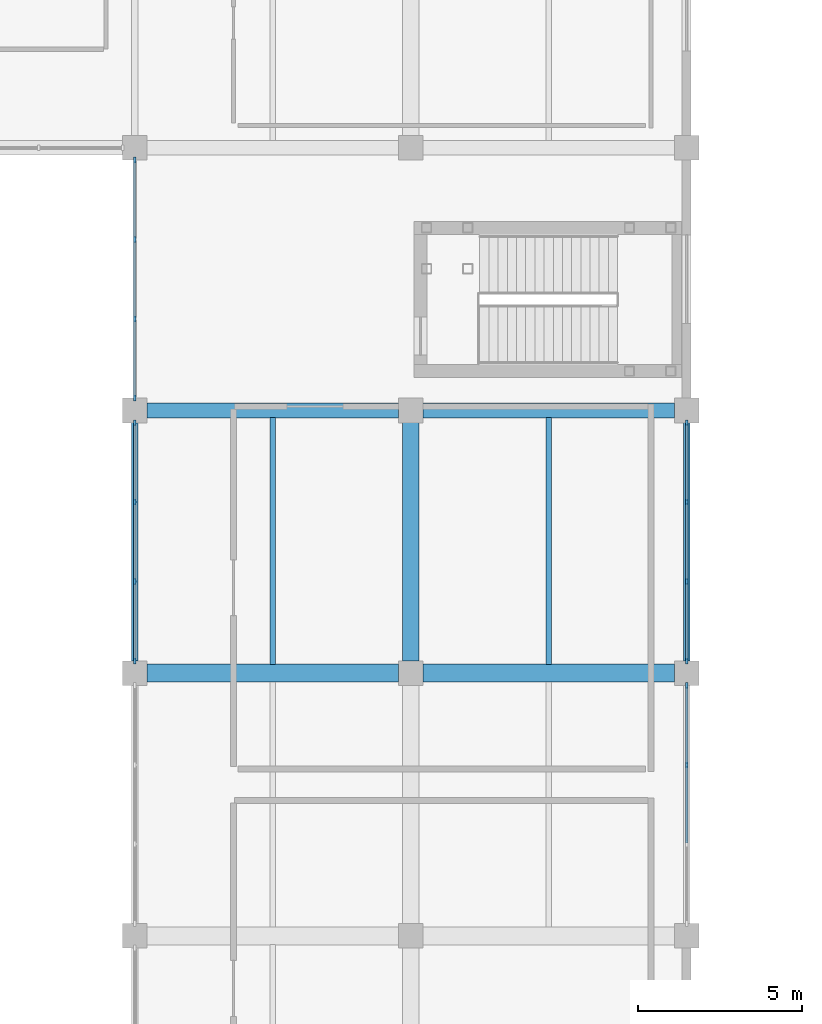
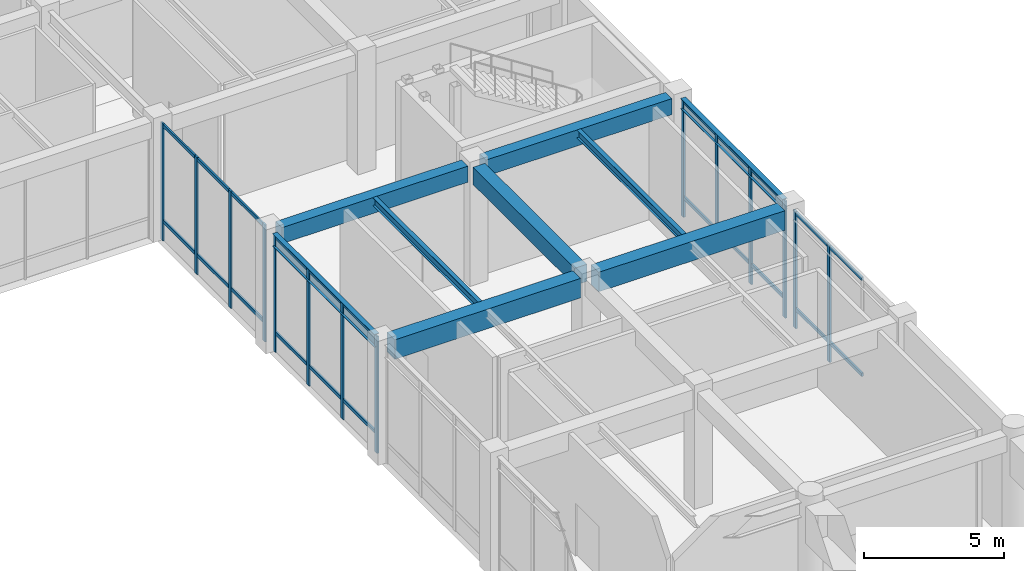
# One storey, part 30 of 79: 36 members, 9 beams, 4 elements without a shape of their own.
"""IFC4 building model written with IfcOpenShell, lengths in metres."""

from ifc_helpers import new_model, si_unit, direction, frame, origin, origin_2d, place, context, subcontext, project, spatial, rectangle, i_section, extrude, material, layer, layer_set, material_profile, profile_set, type_object, element, aggregate, save


model = new_model("IFC4")

# Units and contexts
model_context = context("Model", 3, precision=1e-05, world=origin(), true_north=direction((0.0, 1.0)))
body_context = subcontext(model_context, "Body", "Model", "MODEL_VIEW")
ifc_project = project(units=[si_unit("LENGTHUNIT", "METRE"), si_unit("AREAUNIT", "SQUARE_METRE"), si_unit("VOLUMEUNIT", "CUBIC_METRE"), si_unit("PLANEANGLEUNIT", "RADIAN"), si_unit("MASSUNIT", "GRAM", prefix="KILO")], contexts=[model_context])

# Site, building, storey
site_placement = place(None, origin())
site = spatial("IfcSite", under=ifc_project, at=site_placement, CompositionType="ELEMENT")
building_placement = place(site_placement, origin())
building = spatial("IfcBuilding", under=site, at=building_placement, Name="Naruveol Harbour Congress Hotel", CompositionType="ELEMENT")
storey_placement = place(building_placement, frame((0.0, 0.0, 6.0)))
storey = spatial("IfcBuildingStorey", under=building, at=storey_placement, Name="L01", CompositionType="ELEMENT", Elevation=6.0)

# Beams
ifc_material_1 = material(Name="Concrete C40/50", Category="concrete")
ifc_material_profile_1 = material_profile(ifc_material_1, rectangle(XDim=0.5, YDim=0.75, at=origin_2d()), Name="RCB-500x750")
ifc_profile_set_1 = profile_set([ifc_material_profile_1], Name="Concrete C40/50")
beam_type_1 = type_object("IfcBeamType", Name="RC FLOOR GIRDER 500X750", PredefinedType="BEAM", material=ifc_profile_set_1)
beam_1_placement = place(storey_placement, frame((117.60009765625, 48.37109375, 4.77490234375), z_axis=(0.0, 1.0, 0.0), x_axis=(-1.0, 0.0, 0.0)))
element("IfcBeam", 1, at=beam_1_placement, inside=storey, type_object=beam_type_1, Name="Transverse girder L02 CB3", PredefinedType="BEAM", context=body_context, shape_type="SweptSolid", body=[
    extrude(rectangle(XDim=0.5, YDim=0.75, at=origin_2d()), origin(), (0.0, 0.0, 1.0), 7.2578125),
])
ifc_material_2 = material(Name="Concrete C40/50", Category="concrete")
ifc_material_profile_2 = material_profile(ifc_material_2, rectangle(XDim=0.550048828125, YDim=0.85009765625, at=origin_2d()), Name="RCB-550x850")
ifc_profile_set_2 = profile_set([ifc_material_profile_2], Name="Concrete C40/50")
beam_type_2 = type_object("IfcBeamType", Name="RC PRIMARY GIRDER 550X850", PredefinedType="BEAM", material=ifc_profile_set_2)
for number, where, z_axis, x_axis, name in (
    (2, (109.571044921875, 48.0, 4.72509765625), (1.0, 0.0, 0.0), (0.0, 1.0, 0.0), "Floor girder L02 CB2"),
    (3, (117.970947265625, 48.0, 4.72509765625), (1.0, 0.0, 0.0), (0.0, 1.0, 0.0), "Floor girder L02 CB2"),
):
    element("IfcBeam", number, at=place(storey_placement, frame(where, z_axis=z_axis, x_axis=x_axis)), inside=storey, type_object=beam_type_2, Name=name, PredefinedType="BEAM", context=body_context, shape_type="SweptSolid", body=[
        extrude(rectangle(XDim=0.550048828125, YDim=0.85009765625, at=origin_2d()), origin(), (0.0, 0.0, 1.0), 7.657958984375),
    ])
ifc_material_3 = material(Name="Concrete C40/50", Category="concrete")
ifc_material_profile_3 = material_profile(ifc_material_3, rectangle(XDim=0.449951171875, YDim=0.699951171875, at=origin_2d()), Name="RCB-450x700")
ifc_profile_set_3 = profile_set([ifc_material_profile_3], Name="Concrete C40/50")
beam_type_3 = type_object("IfcBeamType", Name="RC SPANDREL BEAM 450X700", PredefinedType="SPANDREL", material=ifc_profile_set_3)
for number, where, z_axis, x_axis, name in (
    (4, (109.571044921875, 56.0, 4.800048828125), (1.0, 0.0, 0.0), (0.0, 1.0, 0.0), "Floor girder L02 SPB1"),
    (5, (117.970947265625, 56.0, 4.800048828125), (1.0, 0.0, 0.0), (0.0, 1.0, 0.0), "Floor girder L02 SPB1"),
):
    element("IfcBeam", number, at=place(storey_placement, frame(where, z_axis=z_axis, x_axis=x_axis)), inside=storey, type_object=beam_type_3, Name=name, PredefinedType="SPANDREL", context=body_context, shape_type="SweptSolid", body=[
        extrude(rectangle(XDim=0.449951171875, YDim=0.699951171875, at=origin_2d()), origin(), (0.0, 0.0, 1.0), 7.657958984375),
    ])
ifc_material_4 = material(Name="Steel SN490", Category="steel")
ifc_material_profile_4 = material_profile(ifc_material_4, i_section(OverallWidth=0.199951171875, OverallDepth=0.550048828125, WebThickness=0.010986328125, FlangeThickness=0.01708984375, at=origin_2d()), Name="H-550x200x11x17")
ifc_profile_set_4 = profile_set([ifc_material_profile_4], Name="Steel SN490")
beam_type_4 = type_object("IfcBeamType", Name="STEEL HALL GALLERY BEAM H550", PredefinedType="BEAM", material=ifc_profile_set_4)
beam_2_placement = place(storey_placement, frame((109.199951171875, 48.37109375, 4.875), z_axis=(0.0, 1.0, 0.0), x_axis=(-1.0, 0.0, 0.0)))
element("IfcBeam", 6, at=beam_2_placement, inside=storey, type_object=beam_type_4, Name="Transverse girder L02 SB4", PredefinedType="BEAM", context=body_context, shape_type="SweptSolid", body=[
    extrude(i_section(OverallWidth=0.199951171875, OverallDepth=0.550048828125, WebThickness=0.010986328125, FlangeThickness=0.01708984375, at=origin_2d()), origin(), (0.0, 0.0, 1.0), 7.2578125),
])
ifc_material_5 = material(Name="Steel SN490", Category="steel")
ifc_material_profile_5 = material_profile(ifc_material_5, i_section(OverallWidth=0.175048828125, OverallDepth=0.35009765625, WebThickness=0.007080078125, FlangeThickness=0.010986328125, at=origin_2d()), Name="H-350x175x7x11")
ifc_profile_set_5 = profile_set([ifc_material_profile_5], Name="Steel SN490")
beam_type_5 = type_object("IfcBeamType", Name="STEEL SECONDARY JOIST H350", PredefinedType="JOIST", material=ifc_profile_set_5)
for number, where, z_axis, x_axis, name in (
    (7, (113.39990234375, 48.27099609375, 4.97509765625), (0.0, 1.0, 0.0), (-1.0, 0.0, 0.0), "Secondary floor joist L02 SJ2"),
    (8, (121.800048828125, 48.27099609375, 4.97509765625), (0.0, 1.0, 0.0), (-1.0, 0.0, 0.0), "Secondary floor joist L02 SJ2"),
):
    element("IfcBeam", number, at=place(storey_placement, frame(where, z_axis=z_axis, x_axis=x_axis)), inside=storey, type_object=beam_type_5, Name=name, PredefinedType="JOIST", context=body_context, shape_type="SweptSolid", body=[
        extrude(i_section(OverallWidth=0.175048828125, OverallDepth=0.35009765625, WebThickness=0.007080078125, FlangeThickness=0.010986328125, at=origin_2d()), origin(), (0.0, 0.0, 1.0), 7.508056640625),
    ])
ifc_material_6 = material(Name="Steel SN490", Category="steel")
ifc_material_profile_6 = material_profile(ifc_material_6, i_section(OverallWidth=0.199951171875, OverallDepth=0.449951171875, WebThickness=0.009033203125, FlangeThickness=0.013916015625, at=origin_2d()), Name="H-450x200x9x14")
ifc_profile_set_6 = profile_set([ifc_material_profile_6], Name="Steel SN490")
beam_type_6 = type_object("IfcBeamType", Name="STEEL SPANDREL EDGE BEAM H450", PredefinedType="SPANDREL", material=ifc_profile_set_6)
beam_3_placement = place(storey_placement, frame((126.0, 48.37109375, 4.925048828125), z_axis=(0.0, 1.0, 0.0), x_axis=(-1.0, 0.0, 0.0)))
element("IfcBeam", 9, at=beam_3_placement, inside=storey, type_object=beam_type_6, Name="Transverse girder L02 SPB2", PredefinedType="SPANDREL", context=body_context, shape_type="SweptSolid", body=[
    extrude(i_section(OverallWidth=0.199951171875, OverallDepth=0.449951171875, WebThickness=0.009033203125, FlangeThickness=0.013916015625, at=origin_2d()), origin(), (0.0, 0.0, 1.0), 7.2578125),
])

# Curtain wall, members
ifc_material_7 = material(Name="Low-E Curtain Wall System", Category="glass")
ifc_layer_1 = layer(ifc_material_7, 0.179931640625)
ifc_layer_set_1 = layer_set([ifc_layer_1], Name="Low-E Curtain Wall System")
curtain_wall_type_1 = type_object("IfcCurtainWallType", Name="UNITISED CURTAIN WALL CW-V4E-31 7250X5100", PredefinedType="USERDEFINED", material=ifc_layer_set_1)
curtain_wall_1_placement = place(storey_placement, origin())
curtain_wall_1 = element("IfcCurtainWall", 10, at=curtain_wall_1_placement, inside=storey, type_object=curtain_wall_type_1, Name="Unitised curtain wall CW-V4E-31 L01", ObjectType="UNITISED GLAZING", PredefinedType="USERDEFINED")
ifc_material_8 = material(Name="Anodised Aluminium 6063-T6", Category="aluminium")
ifc_material_profile_7 = material_profile(ifc_material_8, rectangle(XDim=0.074951171875, YDim=0.179931640625, at=origin_2d()), Name="ALU-75x180")
ifc_profile_set_7 = profile_set([ifc_material_profile_7], Name="Anodised Aluminium 6063-T6")
member_type_1 = type_object("IfcMemberType", Name="THERMAL ALUMINIUM MULLION 75X180", PredefinedType="MULLION", material=ifc_profile_set_7)
member_1_placement = place(storey_placement, frame((126.0, 55.625, 0.0), z_axis=(0.0, 0.0, 1.0), x_axis=(1.0, 0.0, 0.0)))
member_1 = element("IfcMember", 11, at=member_1_placement, type_object=member_type_1, Name="Curtain wall mullion CW-L01-0074-M0", PredefinedType="MULLION", context=body_context, shape_type="SweptSolid", body=[
    extrude(rectangle(XDim=0.074951171875, YDim=0.179931640625, at=origin_2d()), origin(), (0.0, 0.0, 1.0), 5.10009765625),
])
member_2_placement = place(storey_placement, frame((126.0, 53.208251953125, 0.0), z_axis=(0.0, 0.0, 1.0), x_axis=(1.0, 0.0, 0.0)))
member_2 = element("IfcMember", 12, at=member_2_placement, type_object=member_type_1, Name="Curtain wall mullion CW-L01-0074-M1", PredefinedType="MULLION", context=body_context, shape_type="SweptSolid", body=[
    extrude(rectangle(XDim=0.074951171875, YDim=0.179931640625, at=origin_2d()), origin(), (0.0, 0.0, 1.0), 5.10009765625),
])
member_3_placement = place(storey_placement, frame((126.0, 50.791748046875, 0.0), z_axis=(0.0, 0.0, 1.0), x_axis=(1.0, 0.0, 0.0)))
member_3 = element("IfcMember", 13, at=member_3_placement, type_object=member_type_1, Name="Curtain wall mullion CW-L01-0074-M2", PredefinedType="MULLION", context=body_context, shape_type="SweptSolid", body=[
    extrude(rectangle(XDim=0.074951171875, YDim=0.179931640625, at=origin_2d()), origin(), (0.0, 0.0, 1.0), 5.10009765625),
])
member_4_placement = place(storey_placement, frame((126.0, 48.375, 0.0), z_axis=(0.0, 0.0, 1.0), x_axis=(1.0, 0.0, 0.0)))
member_4 = element("IfcMember", 14, at=member_4_placement, type_object=member_type_1, Name="Curtain wall mullion CW-L01-0074-M3", PredefinedType="MULLION", context=body_context, shape_type="SweptSolid", body=[
    extrude(rectangle(XDim=0.074951171875, YDim=0.179931640625, at=origin_2d()), origin(), (0.0, 0.0, 1.0), 5.10009765625),
])

curtain_wall_2_placement = place(storey_placement, origin())
curtain_wall_2 = element("IfcCurtainWall", 15, at=curtain_wall_2_placement, inside=storey, type_object=curtain_wall_type_1, Name="Unitised curtain wall CW-V4E-31 L01", ObjectType="UNITISED GLAZING", PredefinedType="USERDEFINED")
member_5_placement = place(storey_placement, frame((126.0, 47.625, 0.0), z_axis=(0.0, 0.0, 1.0), x_axis=(1.0, 0.0, 0.0)))
member_5 = element("IfcMember", 16, at=member_5_placement, type_object=member_type_1, Name="Curtain wall mullion CW-L01-0075-M0", PredefinedType="MULLION", context=body_context, shape_type="SweptSolid", body=[
    extrude(rectangle(XDim=0.074951171875, YDim=0.179931640625, at=origin_2d()), origin(), (0.0, 0.0, 1.0), 5.10009765625),
])
member_6_placement = place(storey_placement, frame((126.0, 45.208251953125, 0.0), z_axis=(0.0, 0.0, 1.0), x_axis=(1.0, 0.0, 0.0)))
member_6 = element("IfcMember", 17, at=member_6_placement, type_object=member_type_1, Name="Curtain wall mullion CW-L01-0075-M1", PredefinedType="MULLION", context=body_context, shape_type="SweptSolid", body=[
    extrude(rectangle(XDim=0.074951171875, YDim=0.179931640625, at=origin_2d()), origin(), (0.0, 0.0, 1.0), 5.10009765625),
])

ifc_material_9 = material(Name="Low-E Curtain Wall System", Category="glass")
ifc_layer_2 = layer(ifc_material_9, 0.179931640625)
ifc_layer_set_2 = layer_set([ifc_layer_2], Name="Low-E Curtain Wall System")
curtain_wall_type_2 = type_object("IfcCurtainWallType", Name="UNITISED CURTAIN WALL CW-CTE-37 7250X5100", PredefinedType="USERDEFINED", material=ifc_layer_set_2)
curtain_wall_3_placement = place(storey_placement, origin())
curtain_wall_3 = element("IfcCurtainWall", 18, at=curtain_wall_3_placement, inside=storey, type_object=curtain_wall_type_2, Name="Unitised curtain wall CW-CTE-37 L01", ObjectType="UNITISED GLAZING", PredefinedType="USERDEFINED")
member_7_placement = place(storey_placement, frame((109.199951171875, 55.625, 0.0), z_axis=(0.0, 0.0, 1.0), x_axis=(1.0, 0.0, 0.0)))
member_7 = element("IfcMember", 19, at=member_7_placement, type_object=member_type_1, Name="Curtain wall mullion CW-L01-0093-M0", PredefinedType="MULLION", context=body_context, shape_type="SweptSolid", body=[
    extrude(rectangle(XDim=0.074951171875, YDim=0.179931640625, at=origin_2d()), origin(), (0.0, 0.0, 1.0), 5.10009765625),
])
member_8_placement = place(storey_placement, frame((109.199951171875, 53.208251953125, 0.0), z_axis=(0.0, 0.0, 1.0), x_axis=(1.0, 0.0, 0.0)))
member_8 = element("IfcMember", 20, at=member_8_placement, type_object=member_type_1, Name="Curtain wall mullion CW-L01-0093-M1", PredefinedType="MULLION", context=body_context, shape_type="SweptSolid", body=[
    extrude(rectangle(XDim=0.074951171875, YDim=0.179931640625, at=origin_2d()), origin(), (0.0, 0.0, 1.0), 5.10009765625),
])
member_9_placement = place(storey_placement, frame((109.199951171875, 50.791748046875, 0.0), z_axis=(0.0, 0.0, 1.0), x_axis=(1.0, 0.0, 0.0)))
member_9 = element("IfcMember", 21, at=member_9_placement, type_object=member_type_1, Name="Curtain wall mullion CW-L01-0093-M2", PredefinedType="MULLION", context=body_context, shape_type="SweptSolid", body=[
    extrude(rectangle(XDim=0.074951171875, YDim=0.179931640625, at=origin_2d()), origin(), (0.0, 0.0, 1.0), 5.10009765625),
])
member_10_placement = place(storey_placement, frame((109.199951171875, 48.375, 0.0), z_axis=(0.0, 0.0, 1.0), x_axis=(1.0, 0.0, 0.0)))
member_10 = element("IfcMember", 22, at=member_10_placement, type_object=member_type_1, Name="Curtain wall mullion CW-L01-0093-M3", PredefinedType="MULLION", context=body_context, shape_type="SweptSolid", body=[
    extrude(rectangle(XDim=0.074951171875, YDim=0.179931640625, at=origin_2d()), origin(), (0.0, 0.0, 1.0), 5.10009765625),
])

curtain_wall_4_placement = place(storey_placement, origin())
curtain_wall_4 = element("IfcCurtainWall", 23, at=curtain_wall_4_placement, inside=storey, type_object=curtain_wall_type_2, Name="Unitised curtain wall CW-CTE-37 L01", ObjectType="UNITISED GLAZING", PredefinedType="USERDEFINED")
member_11_placement = place(storey_placement, frame((109.199951171875, 63.625, 0.0), z_axis=(0.0, 0.0, 1.0), x_axis=(1.0, 0.0, 0.0)))
member_11 = element("IfcMember", 24, at=member_11_placement, type_object=member_type_1, Name="Curtain wall mullion CW-L01-0095-M0", PredefinedType="MULLION", context=body_context, shape_type="SweptSolid", body=[
    extrude(rectangle(XDim=0.074951171875, YDim=0.179931640625, at=origin_2d()), origin(), (0.0, 0.0, 1.0), 5.10009765625),
])
member_12_placement = place(storey_placement, frame((109.199951171875, 61.208251953125, 0.0), z_axis=(0.0, 0.0, 1.0), x_axis=(1.0, 0.0, 0.0)))
member_12 = element("IfcMember", 25, at=member_12_placement, type_object=member_type_1, Name="Curtain wall mullion CW-L01-0095-M1", PredefinedType="MULLION", context=body_context, shape_type="SweptSolid", body=[
    extrude(rectangle(XDim=0.074951171875, YDim=0.179931640625, at=origin_2d()), origin(), (0.0, 0.0, 1.0), 5.10009765625),
])
member_13_placement = place(storey_placement, frame((109.199951171875, 58.791748046875, 0.0), z_axis=(0.0, 0.0, 1.0), x_axis=(1.0, 0.0, 0.0)))
member_13 = element("IfcMember", 26, at=member_13_placement, type_object=member_type_1, Name="Curtain wall mullion CW-L01-0095-M2", PredefinedType="MULLION", context=body_context, shape_type="SweptSolid", body=[
    extrude(rectangle(XDim=0.074951171875, YDim=0.179931640625, at=origin_2d()), origin(), (0.0, 0.0, 1.0), 5.10009765625),
])
member_14_placement = place(storey_placement, frame((109.199951171875, 56.375, 0.0), z_axis=(0.0, 0.0, 1.0), x_axis=(1.0, 0.0, 0.0)))
member_14 = element("IfcMember", 27, at=member_14_placement, type_object=member_type_1, Name="Curtain wall mullion CW-L01-0095-M3", PredefinedType="MULLION", context=body_context, shape_type="SweptSolid", body=[
    extrude(rectangle(XDim=0.074951171875, YDim=0.179931640625, at=origin_2d()), origin(), (0.0, 0.0, 1.0), 5.10009765625),
])

# Member
ifc_material_10 = material(Name="Anodised Aluminium 6063-T6", Category="aluminium")
ifc_material_profile_8 = material_profile(ifc_material_10, rectangle(XDim=0.074951171875, YDim=0.14990234375, at=origin_2d()), Name="ALU-75x150")
ifc_profile_set_8 = profile_set([ifc_material_profile_8], Name="Anodised Aluminium 6063-T6")
member_type_2 = type_object("IfcMemberType", Name="THERMAL ALUMINIUM TRANSOM 75X150", PredefinedType="USERDEFINED", material=ifc_profile_set_8)
member_15_placement = place(storey_placement, frame((126.0, 55.5849609375, 0.85009765625), z_axis=(0.0, -1.0, 0.0), x_axis=(1.0, 0.0, 0.0)))
member_15 = element("IfcMember", 28, at=member_15_placement, type_object=member_type_2, Name="Curtain wall transom CW-L01-0074-T0.1", ObjectType="TRANSOM", PredefinedType="USERDEFINED", context=body_context, shape_type="SweptSolid", body=[
    extrude(rectangle(XDim=0.074951171875, YDim=0.14990234375, at=origin_2d()), origin(), (0.0, 0.0, 1.0), 2.336669921875),
])

member_16_placement = place(storey_placement, frame((126.0, 55.5849609375, 5.02001953125), z_axis=(0.0, -1.0, 0.0), x_axis=(1.0, 0.0, 0.0)))
member_16 = element("IfcMember", 29, at=member_16_placement, type_object=member_type_2, Name="Curtain wall transom CW-L01-0074-T0.2", ObjectType="TRANSOM", PredefinedType="USERDEFINED", context=body_context, shape_type="SweptSolid", body=[
    extrude(rectangle(XDim=0.074951171875, YDim=0.14990234375, at=origin_2d()), origin(), (0.0, 0.0, 1.0), 2.336669921875),
])

member_17_placement = place(storey_placement, frame((126.0, 53.168212890625, 0.85009765625), z_axis=(0.0, -1.0, 0.0), x_axis=(1.0, 0.0, 0.0)))
member_17 = element("IfcMember", 30, at=member_17_placement, type_object=member_type_2, Name="Curtain wall transom CW-L01-0074-T1.1", ObjectType="TRANSOM", PredefinedType="USERDEFINED", context=body_context, shape_type="SweptSolid", body=[
    extrude(rectangle(XDim=0.074951171875, YDim=0.14990234375, at=origin_2d()), origin(), (0.0, 0.0, 1.0), 2.33642578125),
])

member_18_placement = place(storey_placement, frame((126.0, 53.168212890625, 5.02001953125), z_axis=(0.0, -1.0, 0.0), x_axis=(1.0, 0.0, 0.0)))
member_18 = element("IfcMember", 31, at=member_18_placement, type_object=member_type_2, Name="Curtain wall transom CW-L01-0074-T1.2", ObjectType="TRANSOM", PredefinedType="USERDEFINED", context=body_context, shape_type="SweptSolid", body=[
    extrude(rectangle(XDim=0.074951171875, YDim=0.14990234375, at=origin_2d()), origin(), (0.0, 0.0, 1.0), 2.33642578125),
])

member_19_placement = place(storey_placement, frame((126.0, 50.751708984375, 0.85009765625), z_axis=(0.0, -1.0, 0.0), x_axis=(1.0, 0.0, 0.0)))
member_19 = element("IfcMember", 32, at=member_19_placement, type_object=member_type_2, Name="Curtain wall transom CW-L01-0074-T2.1", ObjectType="TRANSOM", PredefinedType="USERDEFINED", context=body_context, shape_type="SweptSolid", body=[
    extrude(rectangle(XDim=0.074951171875, YDim=0.14990234375, at=origin_2d()), origin(), (0.0, 0.0, 1.0), 2.336669921875),
])

member_20_placement = place(storey_placement, frame((126.0, 50.751708984375, 5.02001953125), z_axis=(0.0, -1.0, 0.0), x_axis=(1.0, 0.0, 0.0)))
member_20 = element("IfcMember", 33, at=member_20_placement, type_object=member_type_2, Name="Curtain wall transom CW-L01-0074-T2.2", ObjectType="TRANSOM", PredefinedType="USERDEFINED", context=body_context, shape_type="SweptSolid", body=[
    extrude(rectangle(XDim=0.074951171875, YDim=0.14990234375, at=origin_2d()), origin(), (0.0, 0.0, 1.0), 2.336669921875),
])

aggregate(curtain_wall_1, [member_1, member_2, member_3, member_4, member_15, member_16, member_17, member_18, member_19, member_20])

member_21_placement = place(storey_placement, frame((126.0, 47.5849609375, 0.85009765625), z_axis=(0.0, -1.0, 0.0), x_axis=(1.0, 0.0, 0.0)))
member_21 = element("IfcMember", 34, at=member_21_placement, type_object=member_type_2, Name="Curtain wall transom CW-L01-0075-T0.1", ObjectType="TRANSOM", PredefinedType="USERDEFINED", context=body_context, shape_type="SweptSolid", body=[
    extrude(rectangle(XDim=0.074951171875, YDim=0.14990234375, at=origin_2d()), origin(), (0.0, 0.0, 1.0), 2.336669921875),
])

member_22_placement = place(storey_placement, frame((126.0, 47.5849609375, 5.02001953125), z_axis=(0.0, -1.0, 0.0), x_axis=(1.0, 0.0, 0.0)))
member_22 = element("IfcMember", 35, at=member_22_placement, type_object=member_type_2, Name="Curtain wall transom CW-L01-0075-T0.2", ObjectType="TRANSOM", PredefinedType="USERDEFINED", context=body_context, shape_type="SweptSolid", body=[
    extrude(rectangle(XDim=0.074951171875, YDim=0.14990234375, at=origin_2d()), origin(), (0.0, 0.0, 1.0), 2.336669921875),
])

member_23_placement = place(storey_placement, frame((126.0, 45.168212890625, 0.85009765625), z_axis=(0.0, -1.0, 0.0), x_axis=(1.0, 0.0, 0.0)))
member_23 = element("IfcMember", 36, at=member_23_placement, type_object=member_type_2, Name="Curtain wall transom CW-L01-0075-T1.1", ObjectType="TRANSOM", PredefinedType="USERDEFINED", context=body_context, shape_type="SweptSolid", body=[
    extrude(rectangle(XDim=0.074951171875, YDim=0.14990234375, at=origin_2d()), origin(), (0.0, 0.0, 1.0), 2.33642578125),
])

member_24_placement = place(storey_placement, frame((126.0, 45.168212890625, 5.02001953125), z_axis=(0.0, -1.0, 0.0), x_axis=(1.0, 0.0, 0.0)))
member_24 = element("IfcMember", 37, at=member_24_placement, type_object=member_type_2, Name="Curtain wall transom CW-L01-0075-T1.2", ObjectType="TRANSOM", PredefinedType="USERDEFINED", context=body_context, shape_type="SweptSolid", body=[
    extrude(rectangle(XDim=0.074951171875, YDim=0.14990234375, at=origin_2d()), origin(), (0.0, 0.0, 1.0), 2.33642578125),
])

aggregate(curtain_wall_2, [member_5, member_6, member_21, member_22, member_23, member_24])

member_25_placement = place(storey_placement, frame((109.199951171875, 55.5849609375, 0.85009765625), z_axis=(0.0, -1.0, 0.0), x_axis=(1.0, 0.0, 0.0)))
member_25 = element("IfcMember", 38, at=member_25_placement, type_object=member_type_2, Name="Curtain wall transom CW-L01-0093-T0.1", ObjectType="TRANSOM", PredefinedType="USERDEFINED", context=body_context, shape_type="SweptSolid", body=[
    extrude(rectangle(XDim=0.074951171875, YDim=0.14990234375, at=origin_2d()), origin(), (0.0, 0.0, 1.0), 2.336669921875),
])

member_26_placement = place(storey_placement, frame((109.199951171875, 55.5849609375, 5.02001953125), z_axis=(0.0, -1.0, 0.0), x_axis=(1.0, 0.0, 0.0)))
member_26 = element("IfcMember", 39, at=member_26_placement, type_object=member_type_2, Name="Curtain wall transom CW-L01-0093-T0.2", ObjectType="TRANSOM", PredefinedType="USERDEFINED", context=body_context, shape_type="SweptSolid", body=[
    extrude(rectangle(XDim=0.074951171875, YDim=0.14990234375, at=origin_2d()), origin(), (0.0, 0.0, 1.0), 2.336669921875),
])

member_27_placement = place(storey_placement, frame((109.199951171875, 53.168212890625, 0.85009765625), z_axis=(0.0, -1.0, 0.0), x_axis=(1.0, 0.0, 0.0)))
member_27 = element("IfcMember", 40, at=member_27_placement, type_object=member_type_2, Name="Curtain wall transom CW-L01-0093-T1.1", ObjectType="TRANSOM", PredefinedType="USERDEFINED", context=body_context, shape_type="SweptSolid", body=[
    extrude(rectangle(XDim=0.074951171875, YDim=0.14990234375, at=origin_2d()), origin(), (0.0, 0.0, 1.0), 2.33642578125),
])

member_28_placement = place(storey_placement, frame((109.199951171875, 53.168212890625, 5.02001953125), z_axis=(0.0, -1.0, 0.0), x_axis=(1.0, 0.0, 0.0)))
member_28 = element("IfcMember", 41, at=member_28_placement, type_object=member_type_2, Name="Curtain wall transom CW-L01-0093-T1.2", ObjectType="TRANSOM", PredefinedType="USERDEFINED", context=body_context, shape_type="SweptSolid", body=[
    extrude(rectangle(XDim=0.074951171875, YDim=0.14990234375, at=origin_2d()), origin(), (0.0, 0.0, 1.0), 2.33642578125),
])

member_29_placement = place(storey_placement, frame((109.199951171875, 50.751708984375, 0.85009765625), z_axis=(0.0, -1.0, 0.0), x_axis=(1.0, 0.0, 0.0)))
member_29 = element("IfcMember", 42, at=member_29_placement, type_object=member_type_2, Name="Curtain wall transom CW-L01-0093-T2.1", ObjectType="TRANSOM", PredefinedType="USERDEFINED", context=body_context, shape_type="SweptSolid", body=[
    extrude(rectangle(XDim=0.074951171875, YDim=0.14990234375, at=origin_2d()), origin(), (0.0, 0.0, 1.0), 2.336669921875),
])

member_30_placement = place(storey_placement, frame((109.199951171875, 50.751708984375, 5.02001953125), z_axis=(0.0, -1.0, 0.0), x_axis=(1.0, 0.0, 0.0)))
member_30 = element("IfcMember", 43, at=member_30_placement, type_object=member_type_2, Name="Curtain wall transom CW-L01-0093-T2.2", ObjectType="TRANSOM", PredefinedType="USERDEFINED", context=body_context, shape_type="SweptSolid", body=[
    extrude(rectangle(XDim=0.074951171875, YDim=0.14990234375, at=origin_2d()), origin(), (0.0, 0.0, 1.0), 2.336669921875),
])

aggregate(curtain_wall_3, [member_7, member_8, member_9, member_10, member_25, member_26, member_27, member_28, member_29, member_30])

member_31_placement = place(storey_placement, frame((109.199951171875, 63.5849609375, 0.85009765625), z_axis=(0.0, -1.0, 0.0), x_axis=(1.0, 0.0, 0.0)))
member_31 = element("IfcMember", 44, at=member_31_placement, type_object=member_type_2, Name="Curtain wall transom CW-L01-0095-T0.1", ObjectType="TRANSOM", PredefinedType="USERDEFINED", context=body_context, shape_type="SweptSolid", body=[
    extrude(rectangle(XDim=0.074951171875, YDim=0.14990234375, at=origin_2d()), origin(), (0.0, 0.0, 1.0), 2.336669921875),
])

member_32_placement = place(storey_placement, frame((109.199951171875, 63.5849609375, 5.02001953125), z_axis=(0.0, -1.0, 0.0), x_axis=(1.0, 0.0, 0.0)))
member_32 = element("IfcMember", 45, at=member_32_placement, type_object=member_type_2, Name="Curtain wall transom CW-L01-0095-T0.2", ObjectType="TRANSOM", PredefinedType="USERDEFINED", context=body_context, shape_type="SweptSolid", body=[
    extrude(rectangle(XDim=0.074951171875, YDim=0.14990234375, at=origin_2d()), origin(), (0.0, 0.0, 1.0), 2.336669921875),
])

member_33_placement = place(storey_placement, frame((109.199951171875, 61.168212890625, 0.85009765625), z_axis=(0.0, -1.0, 0.0), x_axis=(1.0, 0.0, 0.0)))
member_33 = element("IfcMember", 46, at=member_33_placement, type_object=member_type_2, Name="Curtain wall transom CW-L01-0095-T1.1", ObjectType="TRANSOM", PredefinedType="USERDEFINED", context=body_context, shape_type="SweptSolid", body=[
    extrude(rectangle(XDim=0.074951171875, YDim=0.14990234375, at=origin_2d()), origin(), (0.0, 0.0, 1.0), 2.33642578125),
])

member_34_placement = place(storey_placement, frame((109.199951171875, 61.168212890625, 5.02001953125), z_axis=(0.0, -1.0, 0.0), x_axis=(1.0, 0.0, 0.0)))
member_34 = element("IfcMember", 47, at=member_34_placement, type_object=member_type_2, Name="Curtain wall transom CW-L01-0095-T1.2", ObjectType="TRANSOM", PredefinedType="USERDEFINED", context=body_context, shape_type="SweptSolid", body=[
    extrude(rectangle(XDim=0.074951171875, YDim=0.14990234375, at=origin_2d()), origin(), (0.0, 0.0, 1.0), 2.33642578125),
])

member_35_placement = place(storey_placement, frame((109.199951171875, 58.751708984375, 0.85009765625), z_axis=(0.0, -1.0, 0.0), x_axis=(1.0, 0.0, 0.0)))
member_35 = element("IfcMember", 48, at=member_35_placement, type_object=member_type_2, Name="Curtain wall transom CW-L01-0095-T2.1", ObjectType="TRANSOM", PredefinedType="USERDEFINED", context=body_context, shape_type="SweptSolid", body=[
    extrude(rectangle(XDim=0.074951171875, YDim=0.14990234375, at=origin_2d()), origin(), (0.0, 0.0, 1.0), 2.336669921875),
])

member_36_placement = place(storey_placement, frame((109.199951171875, 58.751708984375, 5.02001953125), z_axis=(0.0, -1.0, 0.0), x_axis=(1.0, 0.0, 0.0)))
member_36 = element("IfcMember", 49, at=member_36_placement, type_object=member_type_2, Name="Curtain wall transom CW-L01-0095-T2.2", ObjectType="TRANSOM", PredefinedType="USERDEFINED", context=body_context, shape_type="SweptSolid", body=[
    extrude(rectangle(XDim=0.074951171875, YDim=0.14990234375, at=origin_2d()), origin(), (0.0, 0.0, 1.0), 2.336669921875),
])

aggregate(curtain_wall_4, [member_11, member_12, member_13, member_14, member_31, member_32, member_33, member_34, member_35, member_36])

save(model, "model.ifc")
